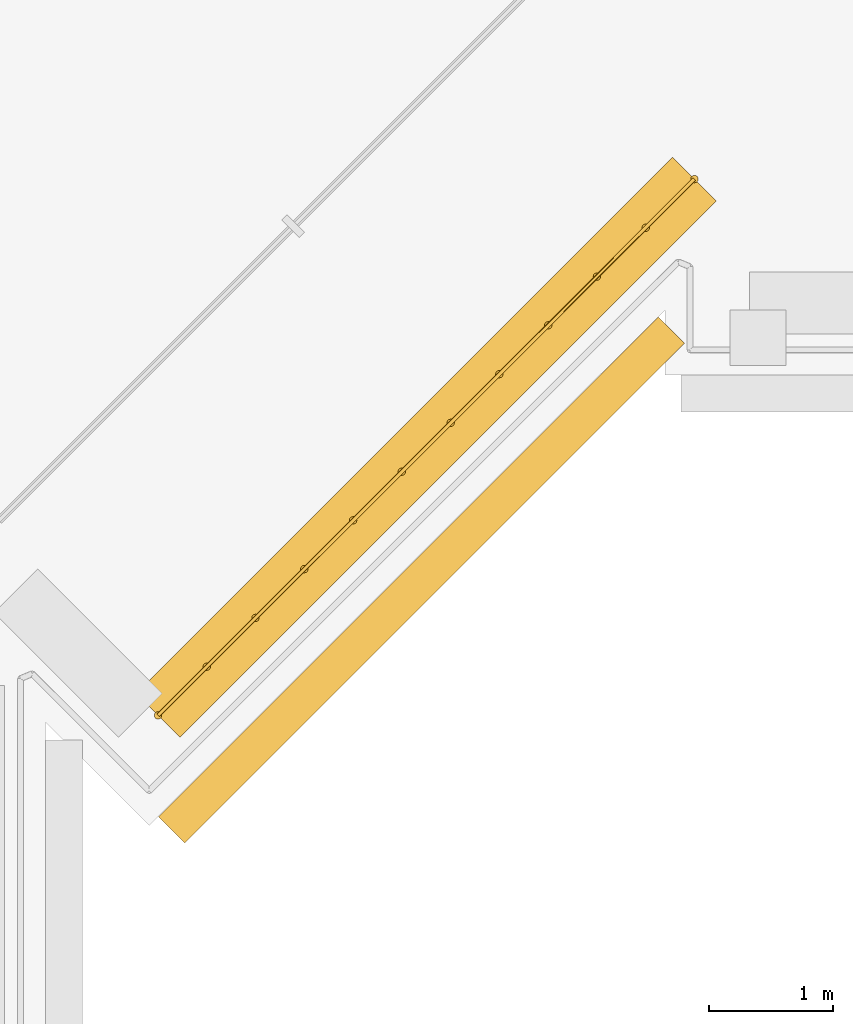
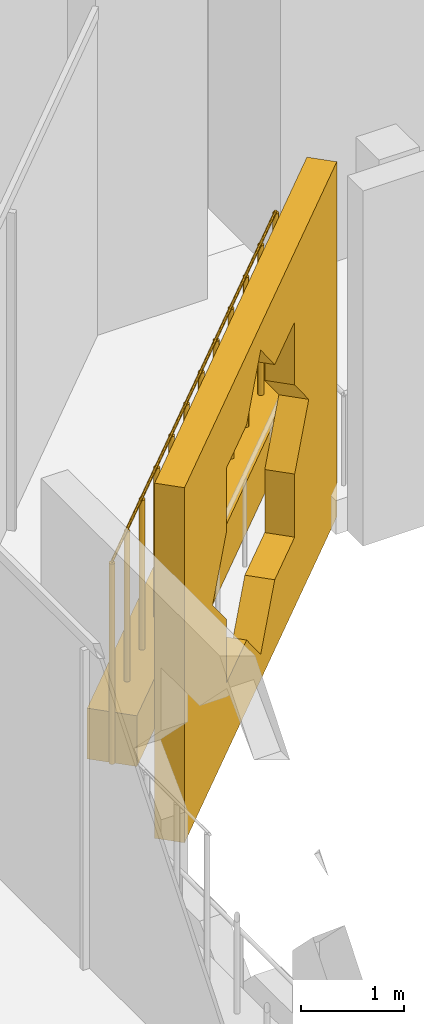
# One storey, part 21 of 27: 2 coverings, 1 railing.
"""IFC4 building model written with IfcOpenShell, lengths in metres."""

from ifc_helpers import new_model, si_unit, direction, frame, origin, origin_2d, place, context, subcontext, project, spatial, polyline, rectangle, circle, outline, extrude, material, material_profile, profile_set, type_object, element, save


model = new_model("IFC4")

# Units and contexts
model_context = context("Model", 3, precision=1e-05, world=origin(), true_north=direction((0.0, 1.0)))
body_context = subcontext(model_context, "Body", "Model", "MODEL_VIEW")
ifc_project = project(units=[si_unit("LENGTHUNIT", "METRE"), si_unit("AREAUNIT", "SQUARE_METRE"), si_unit("VOLUMEUNIT", "CUBIC_METRE"), si_unit("PLANEANGLEUNIT", "RADIAN"), si_unit("MASSUNIT", "GRAM", prefix="KILO")], contexts=[model_context])

# Site, building, storey
site_placement = place(None, origin())
site = spatial("IfcSite", under=ifc_project, at=site_placement, CompositionType="ELEMENT")
building_placement = place(site_placement, origin())
building = spatial("IfcBuilding", under=site, at=building_placement, Name="Kawkab Arch Medical Tower", CompositionType="ELEMENT")
storey_placement = place(building_placement, frame((0.0, 0.0, 43.39990234375)))
storey = spatial("IfcBuildingStorey", under=building, at=storey_placement, Name="L09", CompositionType="ELEMENT", Elevation=43.39990234375)

# Coverings
ifc_material_1 = material(Name="Bronze anodised aluminium mashrabiya panel, eight-point star pattern", Category="aluminium")
ifc_material_profile_1 = material_profile(ifc_material_1, outline(polyline([(-2.85009765625, -2.10009765625), (2.85009765625, -2.10009765625), (2.85009765625, 2.10009765625), (-2.85009765625, 2.10009765625), (-2.85009765625, -2.10009765625)]), holes=[polyline([(1.800048828125, 0.0), (1.272705078125, 0.527099609375), (1.272705078125, 1.272705078125), (0.527099609375, 1.272705078125), (0.0, 1.800048828125), (-0.527099609375, 1.272705078125), (-1.272705078125, 1.272705078125), (-1.272705078125, 0.527099609375), (-1.800048828125, 0.0), (-1.272705078125, -0.527099609375), (-1.272705078125, -1.272705078125), (-0.527099609375, -1.272705078125), (0.0, -1.800048828125), (0.527099609375, -1.272705078125), (1.272705078125, -1.272705078125), (1.272705078125, -0.527099609375), (1.800048828125, 0.0)])]), Name="Mashrabiya panel 5700x4200")
ifc_profile_set_1 = profile_set([ifc_material_profile_1], Name="Bronze anodised aluminium mashrabiya panel, eight-point star pattern")
covering_type_1 = type_object("IfcCoveringType", Name="Mashrabiya panel 5700 x 4200", PredefinedType="USERDEFINED", material=ifc_profile_set_1)
covering_1_placement = place(storey_placement, frame((29.128662109375, -30.94775390625, 1.7001953125), z_axis=(0.707106781187, -0.707106781187, 0.0), x_axis=(0.707106781187, 0.707106781187, 0.0)))
element("IfcCovering", 1, at=covering_1_placement, inside=storey, type_object=covering_type_1, Name="Mashrabiya panel L09.LOG-01-02.15", ObjectType="SCREEN", PredefinedType="USERDEFINED", context=body_context, shape_type="SweptSolid", body=[
    extrude(outline(polyline([(-2.85009765625, -2.10009765625), (2.85009765625, -2.10009765625), (2.85009765625, 2.10009765625), (-2.85009765625, 2.10009765625), (-2.85009765625, -2.10009765625)]), holes=[polyline([(1.800048828125, 0.0), (1.272705078125, 0.527099609375), (1.272705078125, 1.272705078125), (0.527099609375, 1.272705078125), (0.0, 1.800048828125), (-0.527099609375, 1.272705078125), (-1.272705078125, 1.272705078125), (-1.272705078125, 0.527099609375), (-1.800048828125, 0.0), (-1.272705078125, -0.527099609375), (-1.272705078125, -1.272705078125), (-0.527099609375, -1.272705078125), (0.0, -1.800048828125), (0.527099609375, -1.272705078125), (1.272705078125, -1.272705078125), (1.272705078125, -0.527099609375), (1.800048828125, 0.0)])]), origin(), (0.0, 0.0, 1.0), 0.300048828125),
])
ifc_material_2 = material(Name="Planting soil in a precast trough", Category="concrete")
ifc_material_profile_2 = material_profile(ifc_material_2, rectangle(XDim=0.5, YDim=0.60009765625, at=origin_2d()), Name="Trough 500x600")
ifc_profile_set_2 = profile_set([ifc_material_profile_2], Name="Planting soil in a precast trough")
covering_type_2 = type_object("IfcCoveringType", Name="Planter trough 500 x 600", PredefinedType="USERDEFINED", material=ifc_profile_set_2)
covering_2_placement = place(storey_placement, frame((31.43701171875, -27.820068359375, 0.300048828125), z_axis=(-0.707206504313, -0.707007043994, 0.0), x_axis=(0.707007043994, -0.707206504313, 0.0)))
element("IfcCovering", 2, at=covering_2_placement, inside=storey, type_object=covering_type_2, Name="Planter L09.LOG-01-02.47", ObjectType="PLANTER", PredefinedType="USERDEFINED", context=body_context, shape_type="SweptSolid", body=[
    extrude(rectangle(XDim=0.5, YDim=0.60009765625, at=origin_2d()), origin(), (0.0, 0.0, 1.0), 6.1201171875),
])

# Railing
ifc_material_3 = material(Name="Bronze anodised aluminium trellis for climbing plants", Category="aluminium")
railing_type = type_object("IfcRailingType", Name="Planting trellis 2400", PredefinedType="USERDEFINED", material=ifc_material_3)
railing_placement = place(storey_placement, frame((31.43701171875, -27.820068359375, 0.0)))
element("IfcRailing", 3, at=railing_placement, inside=storey, type_object=railing_type, Name="Planting trellis L09.LOG-01-02.47", ObjectType="TRELLIS", PredefinedType="USERDEFINED", context=body_context, shape_type="SweptSolid", body=[
    extrude(circle(Radius=0.01513671875, at=origin_2d()), frame((0.0, 0.0, 2.384765625), z_axis=(-0.707206504313, -0.707007043994, 0.0), x_axis=(0.707007043994, -0.707206504313, 0.0)), (0.0, 0.0, 1.0), 6.1201171875),
    extrude(circle(Radius=0.030029296875, at=origin_2d()), origin(), (0.0, 0.0, 1.0), 2.369873046875),
    extrude(circle(Radius=0.030029296875, at=origin_2d()), frame((-0.3935546875, -0.393310546875, 0.0)), (0.0, 0.0, 1.0), 2.369873046875),
    extrude(circle(Radius=0.030029296875, at=origin_2d()), frame((-0.786865234375, -0.78662109375, 0.0)), (0.0, 0.0, 1.0), 2.369873046875),
    extrude(circle(Radius=0.030029296875, at=origin_2d()), frame((-1.180419921875, -1.18017578125, 0.0)), (0.0, 0.0, 1.0), 2.369873046875),
    extrude(circle(Radius=0.030029296875, at=origin_2d()), frame((-1.573974609375, -1.573486328125, 0.0)), (0.0, 0.0, 1.0), 2.369873046875),
    extrude(circle(Radius=0.030029296875, at=origin_2d()), frame((-1.96728515625, -1.966796875, 0.0)), (0.0, 0.0, 1.0), 2.369873046875),
    extrude(circle(Radius=0.030029296875, at=origin_2d()), frame((-2.36083984375, -2.360107421875, 0.0)), (0.0, 0.0, 1.0), 2.369873046875),
    extrude(circle(Radius=0.030029296875, at=origin_2d()), frame((-2.754150390625, -2.75341796875, 0.0)), (0.0, 0.0, 1.0), 2.369873046875),
    extrude(circle(Radius=0.030029296875, at=origin_2d()), frame((-3.147705078125, -3.146728515625, 0.0)), (0.0, 0.0, 1.0), 2.369873046875),
    extrude(circle(Radius=0.030029296875, at=origin_2d()), frame((-3.541259765625, -3.540283203125, 0.0)), (0.0, 0.0, 1.0), 2.369873046875),
    extrude(circle(Radius=0.030029296875, at=origin_2d()), frame((-3.9345703125, -3.93359375, 0.0)), (0.0, 0.0, 1.0), 2.369873046875),
    extrude(circle(Radius=0.030029296875, at=origin_2d()), frame((-4.328125, -4.326904296875, 0.0)), (0.0, 0.0, 1.0), 2.369873046875),
])

save(model, "model.ifc")
